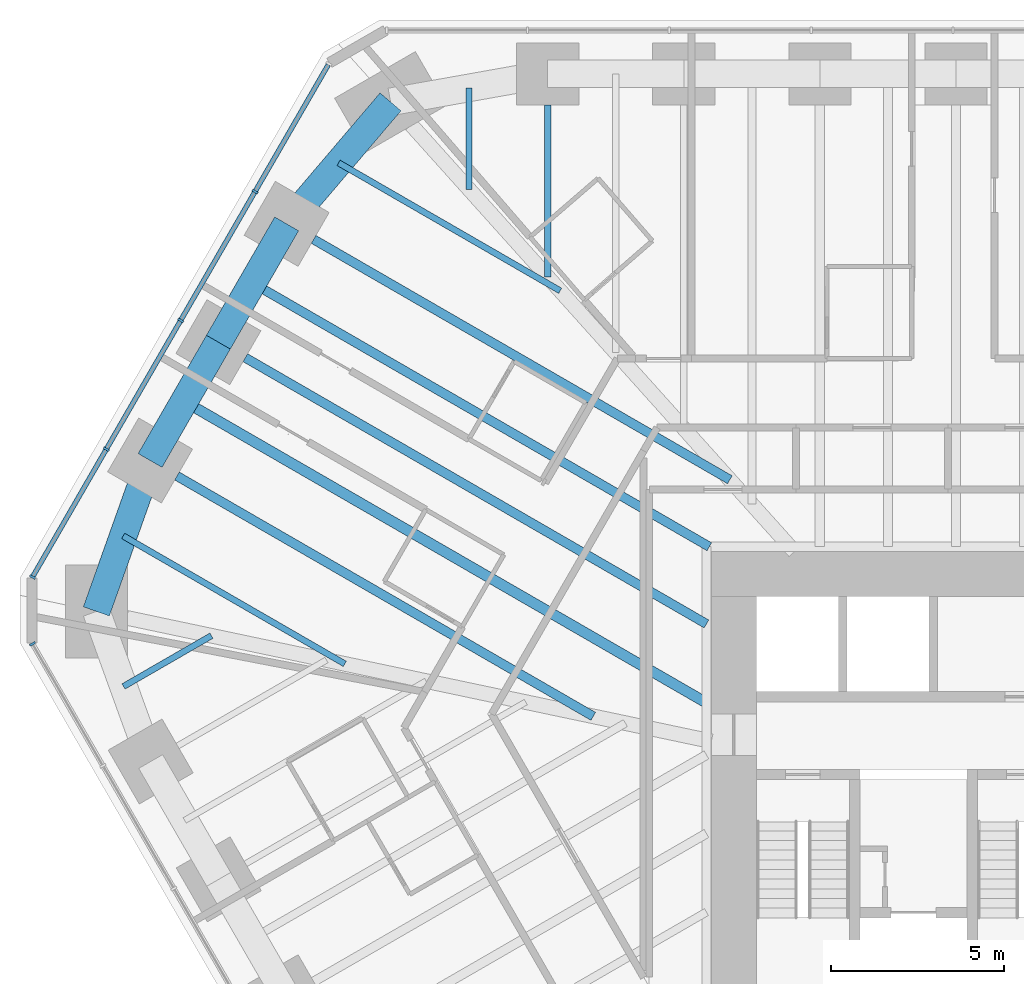
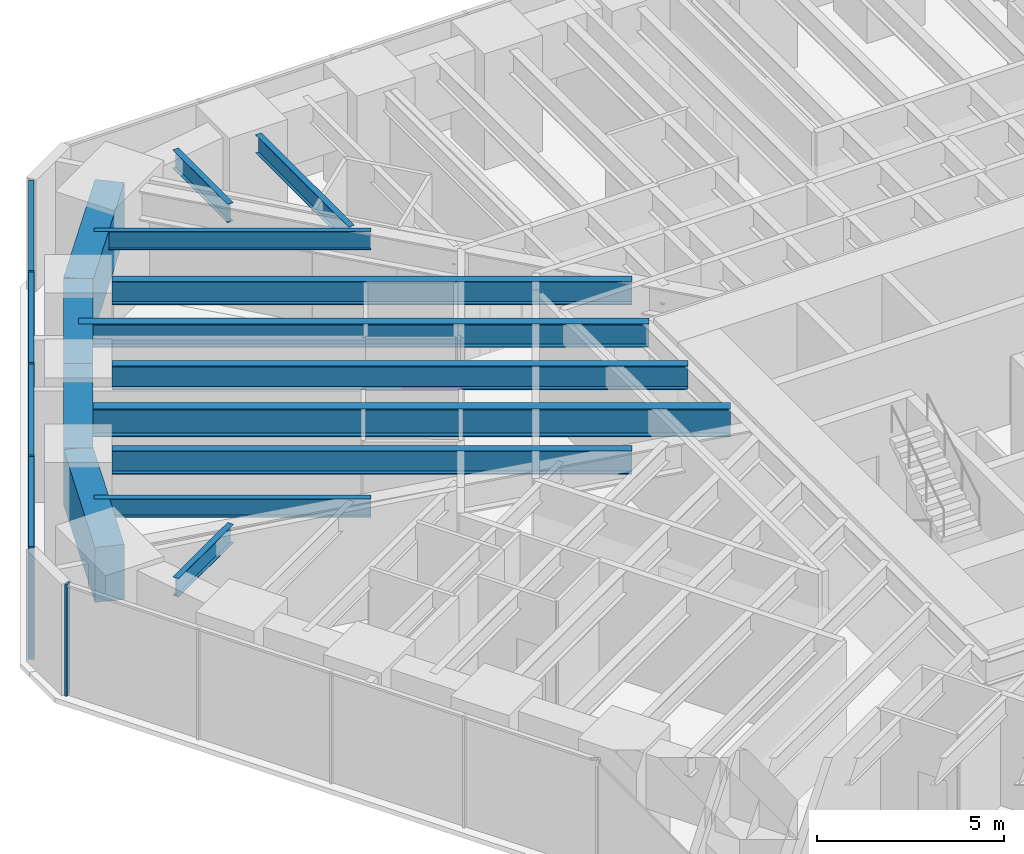
# One storey, part 7 of 17: 14 beams, 9 members, 2 elements without a shape of their own.
"""IFC4 building model written with IfcOpenShell, lengths in metres."""

import ifcopenshell
import ifcopenshell.guid

model = None  # the IFC model being written
_history = None  # IfcOwnerHistory: only IFC2X3 demands one
_inside = {}  # id of a spatial element -> (the spatial element, [elements in it])
_under = {}  # id of a project, library or spatial element -> (it, [spatial elements below it])
_declared = {}  # id of a project -> (the project, [libraries it declares])
_typed = {}  # id of a type object -> (the type object, [elements of that type])
_made_of = {}  # id of a material, layer set ... -> (it, [elements and type objects made of it])


def new_model(schema):
    """Start an empty IFC model of exactly this schema.

    Asked for "IFC4X3", IfcOpenShell would pick the latest addendum, in which some entities
    have other attributes; the version numbers below select the first issue.
    IFC2X3 requires an IfcOwnerHistory on every rooted entity: one is made here for all.
    """
    global model, _history
    if schema == "IFC4X3":
        model = ifcopenshell.file(schema_version=(4, 3, 0, 0))
    else:
        model = ifcopenshell.file(schema=schema)
    _inside.clear()
    _under.clear()
    _declared.clear()
    _typed.clear()
    _made_of.clear()
    _history = None
    if model.schema == "IFC2X3":
        org = make("IfcOrganization", Name="unknown")
        user = make(
            "IfcPersonAndOrganization",
            ThePerson=make("IfcPerson", FamilyName="unknown"),
            TheOrganization=org,
        )
        app = make(
            "IfcApplication",
            ApplicationDeveloper=org,
            Version="unknown",
            ApplicationFullName="unknown",
            ApplicationIdentifier="unknown",
        )
        _history = make(
            "IfcOwnerHistory",
            OwningUser=user,
            OwningApplication=app,
            ChangeAction="ADDED",
            CreationDate=0,
        )
    return model


def make(cls, **values):
    """One entity of the class cls with the attributes given. An attribute that is None is left unset."""
    return model.create_entity(
        cls, **{name: value for name, value in values.items() if value is not None}
    )


def rooted(cls, **values):
    """An entity with a GlobalId (a new one), such as an element, a storey or a relation."""
    return make(cls, GlobalId=ifcopenshell.guid.new(), OwnerHistory=_history, **values)


def si_unit(unit_type, name, prefix=None):
    """IfcSIUnit, for example si_unit("LENGTHUNIT", "METRE", prefix="MILLI")."""
    return make("IfcSIUnit", UnitType=unit_type, Prefix=prefix, Name=name)


def assignment(units):
    """IfcUnitAssignment: the units of a project."""
    return None if units is None else make("IfcUnitAssignment", Units=units)


def point(xyz):
    """IfcCartesianPoint."""
    return None if xyz is None else make("IfcCartesianPoint", Coordinates=xyz)


def direction(xyz):
    """IfcDirection."""
    return None if xyz is None else make("IfcDirection", DirectionRatios=xyz)


def frame(location, z_axis=None, x_axis=None):
    """IfcAxis2Placement3D, a coordinate frame: its origin and axes. An axis left out is left unset."""
    return make(
        "IfcAxis2Placement3D",
        Location=point(location),
        Axis=direction(z_axis),
        RefDirection=direction(x_axis),
    )


def frame_2d(location, x_axis=None):
    """IfcAxis2Placement2D, a coordinate frame in the plane: its origin and x axis."""
    return make(
        "IfcAxis2Placement2D", Location=point(location), RefDirection=direction(x_axis)
    )


def origin():
    """The frame at (0, 0, 0) with its axes left unset."""
    return frame((0.0, 0.0, 0.0))


def origin_2d():
    """The frame at (0, 0) in the plane with its x axis left unset."""
    return frame_2d((0.0, 0.0))


def place(relative_to, where):
    """IfcLocalPlacement: puts the frame where relative to a parent placement (None: the world)."""
    return make(
        "IfcLocalPlacement", PlacementRelTo=relative_to, RelativePlacement=where
    )


def context(
    kind, dimensions, precision=None, world=None, true_north=None, identifier=None
):
    """IfcGeometricRepresentationContext, for example the 3D "Model" context."""
    return make(
        "IfcGeometricRepresentationContext",
        ContextIdentifier=identifier,
        ContextType=kind,
        CoordinateSpaceDimension=dimensions,
        Precision=precision,
        WorldCoordinateSystem=world,
        TrueNorth=true_north,
    )


def subcontext(parent, identifier, kind, view, scale=None):
    """IfcGeometricRepresentationSubContext, for example "Body" below "Model"."""
    return make(
        "IfcGeometricRepresentationSubContext",
        ContextIdentifier=identifier,
        ContextType=kind,
        ParentContext=parent,
        TargetScale=scale,
        TargetView=view,
    )


def project(units=None, contexts=None):
    """IfcProject with its units and contexts."""
    return rooted(
        "IfcProject",
        Name="project",
        RepresentationContexts=contexts,
        UnitsInContext=assignment(units),
    )


def spatial(cls, under=None, at=None, **own):
    """A site, building, storey or space (cls), placed at a placement, below another one or the project."""
    s = rooted(cls, ObjectPlacement=at, **own)
    if under is not None:
        _under.setdefault(under.id(), (under, []))[1].append(s)
    return s


def profile(cls, at=None, kind="AREA", **sizes):
    """A parametric profile (cls). Its sizes go by their IFC names, for example OverallWidth=200.0."""
    return make(cls, ProfileType=kind, Position=at, **sizes)


def rectangle(**sizes):
    """IfcRectangleProfileDef."""
    return profile("IfcRectangleProfileDef", **sizes)


def i_section(**sizes):
    """IfcIShapeProfileDef."""
    return profile("IfcIShapeProfileDef", **sizes)


def extrude(swept, where, along, depth):
    """IfcExtrudedAreaSolid: the profile swept, set in the frame where, extruded along a direction by depth."""
    return make(
        "IfcExtrudedAreaSolid",
        SweptArea=swept,
        Position=where,
        ExtrudedDirection=direction(along),
        Depth=depth,
    )


def shape(context_of_items, identifier, shape_type, items):
    """IfcShapeRepresentation: the items that make up one representation, for example the "Body"."""
    return make(
        "IfcShapeRepresentation",
        ContextOfItems=context_of_items,
        RepresentationIdentifier=identifier,
        RepresentationType=shape_type,
        Items=items,
    )


def material(Name=None, Category=None):
    """IfcMaterial."""
    return make("IfcMaterial", Name=Name, Category=Category)


def material_profile(
    of_material, cross_section, Name=None, Category=None, Priority=None
):
    """IfcMaterialProfile: a cross section and its material."""
    return make(
        "IfcMaterialProfile",
        Name=Name,
        Material=of_material,
        Profile=cross_section,
        Priority=Priority,
        Category=Category,
    )


def profile_set(profiles, Name=None, composite=None):
    """IfcMaterialProfileSet."""
    return make(
        "IfcMaterialProfileSet",
        Name=Name,
        MaterialProfiles=profiles,
        CompositeProfile=composite,
    )


def made_of(thing, what):
    """Note that an element or type object is made of a material, layer set ...; save() writes the relation."""
    if what is not None:
        _made_of.setdefault(what.id(), (what, []))[1].append(thing)
    return thing


def type_object(cls, material=None, **own):
    """A type object (cls), such as IfcWallType, which elements share."""
    return made_of(rooted(cls, **own), material)


def element(
    cls,
    number,
    at=None,
    inside=None,
    cuts=None,
    type_object=None,
    material=None,
    context=None,
    identifier="Body",
    shape_type=None,
    held_by="IfcProductDefinitionShape",
    body=None,
    shapes=None,
    **own,
):
    """One element of the class cls, such as IfcWall. Its Tag is "e" and its number.

    at: its placement. inside: the storey or other place that contains it. cuts: it is an
    opening in that element (IfcRelVoidsElement). A single representation is given by context,
    identifier, shape_type and body (its items); several are given by shapes. held_by: the class
    of the entity that holds the representations. save() writes the other relations.
    """
    e = rooted(cls, Tag="e%d" % number, ObjectPlacement=at, **own)
    if body is not None:
        shapes = [shape(context, identifier, shape_type, body)]
    if shapes is not None:
        e.Representation = make(held_by, Representations=shapes)
    if inside is not None:
        _inside.setdefault(inside.id(), (inside, []))[1].append(e)
    if cuts is not None:
        rooted(
            "IfcRelVoidsElement", RelatingBuildingElement=cuts, RelatedOpeningElement=e
        )
    if type_object is not None:
        _typed.setdefault(type_object.id(), (type_object, []))[1].append(e)
    return made_of(e, material)


def aggregate(whole, parts):
    """IfcRelAggregates: a whole, such as a stair, and the parts it consists of."""
    return rooted("IfcRelAggregates", RelatingObject=whole, RelatedObjects=parts)


def save(model, path):
    """Write the relations noted so far, then the file.

    IfcRelAggregates (storeys below a building ...), IfcRelContainedInSpatialStructure (elements
    in a storey), IfcRelDefinesByType, IfcRelAssociatesMaterial and IfcRelDeclares: one each for
    every whole, place, type object, material and project.
    """
    for whole, parts in _under.values():
        aggregate(whole, parts)
    for where, things in _inside.values():
        rooted(
            "IfcRelContainedInSpatialStructure",
            RelatedElements=things,
            RelatingStructure=where,
        )
    for kind, things in _typed.values():
        rooted("IfcRelDefinesByType", RelatedObjects=things, RelatingType=kind)
    for what, things in _made_of.values():
        rooted("IfcRelAssociatesMaterial", RelatedObjects=things, RelatingMaterial=what)
    for by, libraries in _declared.values():
        rooted("IfcRelDeclares", RelatingContext=by, RelatedDefinitions=libraries)
    model.write(path)


model = new_model("IFC4")

# Units and contexts
model_context = context("Model", 3, precision=1e-05, world=origin(), true_north=direction((0.0, 1.0)))
body_context = subcontext(model_context, "Body", "Model", "MODEL_VIEW")
ifc_project = project(units=[si_unit("LENGTHUNIT", "METRE"), si_unit("AREAUNIT", "SQUARE_METRE"), si_unit("VOLUMEUNIT", "CUBIC_METRE"), si_unit("PLANEANGLEUNIT", "RADIAN"), si_unit("MASSUNIT", "GRAM", prefix="KILO")], contexts=[model_context])

# Site, building, storey
site_placement = place(None, origin())
site = spatial("IfcSite", under=ifc_project, at=site_placement, CompositionType="ELEMENT")
building_placement = place(site_placement, origin())
building = spatial("IfcBuilding", under=site, at=building_placement, Name="Sandreach Pilgrim Tower", CompositionType="ELEMENT")
storey_placement = place(building_placement, frame((0.0, 0.0, 104.39990234375)))
storey = spatial("IfcBuildingStorey", under=building, at=storey_placement, Name="L25", CompositionType="ELEMENT", Elevation=104.39990234375)

# Curtain wall, member
ifc_material_1 = material(Name="Aluminium framed curtain wall", Category="aluminium")
curtain_wall_type = type_object("IfcCurtainWallType", Name="Hotel tower curtain wall", PredefinedType="NOTDEFINED", material=ifc_material_1)
curtain_wall_1_placement = place(storey_placement, origin())
curtain_wall_1 = element("IfcCurtainWall", 1, at=curtain_wall_1_placement, inside=storey, type_object=curtain_wall_type, Name="CW-2 L25 SW", PredefinedType="NOTDEFINED")
ifc_material_2 = material(Name="Aluminium extrusion", Category="aluminium")
ifc_material_profile_1 = material_profile(ifc_material_2, rectangle(XDim=0.06494140625, YDim=0.179931640625, at=origin_2d()), Name="CW-2M 65X180")
ifc_profile_set_1 = profile_set([ifc_material_profile_1], Name="Aluminium extrusion")
member_type_1 = type_object("IfcMemberType", Name="CW-2 mullion", PredefinedType="MULLION", material=ifc_profile_set_1)
member_1_placement = place(storey_placement, frame((-28.70458984375, 4.730224609375, 0.0), z_axis=(0.0, 0.0, 1.0), x_axis=(-0.5, 0.866025403784, 0.0)))
member_1 = element("IfcMember", 2, at=member_1_placement, type_object=member_type_1, Name="CW-2 mullion 10", PredefinedType="MULLION", context=body_context, shape_type="SweptSolid", body=[
    extrude(rectangle(XDim=0.06494140625, YDim=0.179931640625, at=origin_2d()), origin(), (0.0, 0.0, 1.0), 3.64013671875),
])
aggregate(curtain_wall_1, [member_1])

# Curtain wall, members
curtain_wall_2_placement = place(storey_placement, origin())
curtain_wall_2 = element("IfcCurtainWall", 3, at=curtain_wall_2_placement, inside=storey, type_object=curtain_wall_type, Name="CW-2 L25 NW", PredefinedType="NOTDEFINED")
member_2_placement = place(storey_placement, frame((-28.70458984375, 6.66650390625, 0.0), z_axis=(0.0, 0.0, 1.0), x_axis=(0.5, 0.866025403784, 0.0)))
member_2 = element("IfcMember", 4, at=member_2_placement, type_object=member_type_1, Name="CW-2 mullion 1", PredefinedType="MULLION", context=body_context, shape_type="SweptSolid", body=[
    extrude(rectangle(XDim=0.06494140625, YDim=0.179931640625, at=origin_2d()), origin(), (0.0, 0.0, 1.0), 3.64013671875),
])
member_3_placement = place(storey_placement, frame((-26.568115234375, 10.3671875, 0.0), z_axis=(0.0, 0.0, 1.0), x_axis=(0.5, 0.866025403784, 0.0)))
member_3 = element("IfcMember", 5, at=member_3_placement, type_object=member_type_1, Name="CW-2 mullion 2", PredefinedType="MULLION", context=body_context, shape_type="SweptSolid", body=[
    extrude(rectangle(XDim=0.06494140625, YDim=0.179931640625, at=origin_2d()), origin(), (0.0, 0.0, 1.0), 3.64013671875),
])
member_4_placement = place(storey_placement, frame((-24.415283203125, 14.09619140625, 0.0), z_axis=(0.0, 0.0, 1.0), x_axis=(0.5, 0.866025403784, 0.0)))
member_4 = element("IfcMember", 6, at=member_4_placement, type_object=member_type_1, Name="CW-2 mullion 3", PredefinedType="MULLION", context=body_context, shape_type="SweptSolid", body=[
    extrude(rectangle(XDim=0.06494140625, YDim=0.179931640625, at=origin_2d()), origin(), (0.0, 0.0, 1.0), 3.64013671875),
])
member_5_placement = place(storey_placement, frame((-22.262451171875, 17.824951171875, 0.0), z_axis=(0.0, 0.0, 1.0), x_axis=(0.5, 0.866025403784, 0.0)))
member_5 = element("IfcMember", 7, at=member_5_placement, type_object=member_type_1, Name="CW-2 mullion 4", PredefinedType="MULLION", context=body_context, shape_type="SweptSolid", body=[
    extrude(rectangle(XDim=0.06494140625, YDim=0.179931640625, at=origin_2d()), origin(), (0.0, 0.0, 1.0), 3.64013671875),
])
ifc_material_3 = material(Name="Aluminium extrusion", Category="aluminium")
ifc_material_profile_2 = material_profile(ifc_material_3, rectangle(XDim=0.139892578125, YDim=0.070068359375, at=origin_2d()), Name="CW-2T 140X70")
ifc_profile_set_2 = profile_set([ifc_material_profile_2], Name="Aluminium extrusion")
member_type_2 = type_object("IfcMemberType", Name="CW-2 transom", PredefinedType="USERDEFINED", material=ifc_profile_set_2)
member_6_placement = place(storey_placement, frame((-28.6884765625, 6.69482421875, 3.60498046875), z_axis=(0.500038835258, 0.866002981077, 0.0), x_axis=(-0.866002981077, 0.500038835258, 0.0)))
member_6 = element("IfcMember", 8, at=member_6_placement, type_object=member_type_2, Name="CW-2 head transom 1", ObjectType="TRANSOM", PredefinedType="USERDEFINED", context=body_context, shape_type="SweptSolid", body=[
    extrude(rectangle(XDim=0.139892578125, YDim=0.070068359375, at=origin_2d()), origin(), (0.0, 0.0, 1.0), 4.208251953125),
])
member_7_placement = place(storey_placement, frame((-26.5517578125, 10.3955078125, 3.60498046875), z_axis=(0.500021471012, 0.866013007135, 0.0), x_axis=(-0.866013007135, 0.500021471012, 0.0)))
member_7 = element("IfcMember", 9, at=member_7_placement, type_object=member_type_2, Name="CW-2 head transom 2", ObjectType="TRANSOM", PredefinedType="USERDEFINED", context=body_context, shape_type="SweptSolid", body=[
    extrude(rectangle(XDim=0.139892578125, YDim=0.070068359375, at=origin_2d()), origin(), (0.0, 0.0, 1.0), 4.240478515625),
])
member_8_placement = place(storey_placement, frame((-24.39892578125, 14.124267578125, 3.60498046875), z_axis=(0.499996541496, 0.866027400544, 0.0), x_axis=(-0.866027400544, 0.499996541496, 0.0)))
member_8 = element("IfcMember", 10, at=member_8_placement, type_object=member_type_2, Name="CW-2 head transom 3", ObjectType="TRANSOM", PredefinedType="USERDEFINED", context=body_context, shape_type="SweptSolid", body=[
    extrude(rectangle(XDim=0.139892578125, YDim=0.070068359375, at=origin_2d()), origin(), (0.0, 0.0, 1.0), 4.24072265625),
])
member_9_placement = place(storey_placement, frame((-22.24609375, 17.85302734375, 3.60498046875), z_axis=(0.49997020258, 0.86604260665, 0.0), x_axis=(-0.86604260665, 0.49997020258, 0.0)))
member_9 = element("IfcMember", 11, at=member_9_placement, type_object=member_type_2, Name="CW-2 head transom 4", ObjectType="TRANSOM", PredefinedType="USERDEFINED", context=body_context, shape_type="SweptSolid", body=[
    extrude(rectangle(XDim=0.139892578125, YDim=0.070068359375, at=origin_2d()), origin(), (0.0, 0.0, 1.0), 4.208251953125),
])
aggregate(curtain_wall_2, [member_2, member_3, member_4, member_5, member_6, member_7, member_8, member_9])

# Beams
ifc_material_4 = material(Name="Steel ASTM A992 Grade 50", Category="steel")
ifc_material_profile_3 = material_profile(ifc_material_4, i_section(OverallWidth=0.1787109375, OverallDepth=0.60205078125, WebThickness=0.010986328125, FlangeThickness=0.014892578125, at=origin_2d()), Name="W24X62")
ifc_profile_set_3 = profile_set([ifc_material_profile_3], Name="Steel ASTM A992 Grade 50")
beam_type_1 = type_object("IfcBeamType", Name="Floor beam W24X62", PredefinedType="BEAM", material=ifc_profile_set_3)
beam_1_placement = place(storey_placement, frame((-13.789794921875, 20.333740234375, 3.339111328125), z_axis=(0.0, -1.0, 0.0), x_axis=(1.0, 0.0, 0.0)))
element("IfcBeam", 12, at=beam_1_placement, inside=storey, type_object=beam_type_1, Name="BM L25 F01", PredefinedType="BEAM", context=body_context, shape_type="SweptSolid", body=[
    extrude(i_section(OverallWidth=0.1787109375, OverallDepth=0.60205078125, WebThickness=0.010986328125, FlangeThickness=0.014892578125, at=origin_2d()), origin(), (0.0, 0.0, 1.0), 4.9765625),
])
beam_2_placement = place(storey_placement, frame((-26.070556640625, 3.498046875, 3.339111328125), z_axis=(0.866051374412, 0.499955014855, 0.0), x_axis=(-0.499955014855, 0.866051374412, 0.0)))
element("IfcBeam", 13, at=beam_2_placement, inside=storey, type_object=beam_type_1, Name="BM L25 FM34", PredefinedType="BEAM", context=body_context, shape_type="SweptSolid", body=[
    extrude(i_section(OverallWidth=0.1787109375, OverallDepth=0.60205078125, WebThickness=0.010986328125, FlangeThickness=0.014892578125, at=origin_2d()), origin(), (0.0, 0.0, 1.0), 2.938232421875),
])
for number, where, z_axis, x_axis, name in (
    (14, (-26.079345703125, 7.855712890625, 3.339111328125), (0.866025875064, -0.499999183719, 0.0), (0.499999183719, 0.866025875064, 0.0), "BM L25 FM35"),
    (15, (-19.8427734375, 18.65771484375, 3.339111328125), (0.866025875064, -0.499999183719, 0.0), (0.499999183719, 0.866025875064, 0.0), "BM L25 FM38"),
):
    element("IfcBeam", number, at=place(storey_placement, frame(where, z_axis=z_axis, x_axis=x_axis)), inside=storey, type_object=beam_type_1, Name=name, PredefinedType="BEAM", context=body_context, shape_type="SweptSolid", body=[
        extrude(i_section(OverallWidth=0.1787109375, OverallDepth=0.60205078125, WebThickness=0.010986328125, FlangeThickness=0.014892578125, at=origin_2d()), origin(), (0.0, 0.0, 1.0), 7.40771484375),
    ])
beam_3_placement = place(storey_placement, frame((-16.064697265625, 20.828857421875, 3.339111328125), z_axis=(0.0, -1.0, 0.0), x_axis=(1.0, 0.0, 0.0)))
element("IfcBeam", 16, at=beam_3_placement, inside=storey, type_object=beam_type_1, Name="BM L25 FM39", PredefinedType="BEAM", context=body_context, shape_type="SweptSolid", body=[
    extrude(i_section(OverallWidth=0.1787109375, OverallDepth=0.60205078125, WebThickness=0.010986328125, FlangeThickness=0.014892578125, at=origin_2d()), origin(), (0.0, 0.0, 1.0), 2.938232421875),
])
ifc_material_5 = material(Name="Steel ASTM A992 Grade 50", Category="steel")
ifc_material_profile_4 = material_profile(ifc_material_5, i_section(OverallWidth=0.2666015625, OverallDepth=0.761962890625, WebThickness=0.014404296875, FlangeThickness=0.021484375, at=origin_2d()), Name="W30X116")
ifc_profile_set_4 = profile_set([ifc_material_profile_4], Name="Steel ASTM A992 Grade 50")
beam_type_2 = type_object("IfcBeamType", Name="Floor beam W30X116", PredefinedType="BEAM", material=ifc_profile_set_4)
beam_4_placement = place(storey_placement, frame((-24.522216796875, 9.5908203125, 3.259033203125), z_axis=(0.866026649588, -0.499997842199, 0.0), x_axis=(0.499997842199, 0.866026649588, 0.0)))
element("IfcBeam", 17, at=beam_4_placement, inside=storey, type_object=beam_type_2, Name="BM L25 F36", PredefinedType="BEAM", context=body_context, shape_type="SweptSolid", body=[
    extrude(i_section(OverallWidth=0.2666015625, OverallDepth=0.761962890625, WebThickness=0.014404296875, FlangeThickness=0.021484375, at=origin_2d()), origin(), (0.0, 0.0, 1.0), 13.91552734375),
])
beam_5_placement = place(storey_placement, frame((-20.56689453125, 16.44140625, 3.259033203125), z_axis=(0.866022263426, -0.500005439221, 0.0), x_axis=(0.500005439221, 0.866022263426, 0.0)))
element("IfcBeam", 18, at=beam_5_placement, inside=storey, type_object=beam_type_2, Name="BM L25 F38", PredefinedType="BEAM", context=body_context, shape_type="SweptSolid", body=[
    extrude(i_section(OverallWidth=0.2666015625, OverallDepth=0.761962890625, WebThickness=0.014404296875, FlangeThickness=0.021484375, at=origin_2d()), origin(), (0.0, 0.0, 1.0), 13.915283203125),
])
ifc_material_6 = material(Name="Steel ASTM A992 Grade 50", Category="steel")
ifc_material_profile_5 = material_profile(ifc_material_6, i_section(OverallWidth=0.2666015625, OverallDepth=0.77978515625, WebThickness=0.0166015625, FlangeThickness=0.030029296875, at=origin_2d()), Name="W30X148")
ifc_profile_set_5 = profile_set([ifc_material_profile_5], Name="Steel ASTM A992 Grade 50")
beam_type_3 = type_object("IfcBeamType", Name="Floor beam W30X148", PredefinedType="BEAM", material=ifc_profile_set_5)
beam_6_placement = place(storey_placement, frame((-22.544677734375, 13.01611328125, 3.250244140625), z_axis=(0.866029203842, -0.49999341805, 0.0), x_axis=(0.49999341805, 0.866029203842, 0.0)))
element("IfcBeam", 19, at=beam_6_placement, inside=storey, type_object=beam_type_3, Name="BM L25 F37", PredefinedType="BEAM", context=body_context, shape_type="SweptSolid", body=[
    extrude(i_section(OverallWidth=0.2666015625, OverallDepth=0.77978515625, WebThickness=0.0166015625, FlangeThickness=0.030029296875, at=origin_2d()), origin(), (0.0, 0.0, 1.0), 15.416748046875),
])
beam_7_placement = place(storey_placement, frame((-22.335205078125, 15.1787109375, 3.250244140625), z_axis=(0.866028773314, -0.499994163758, 0.0), x_axis=(0.499994163758, 0.866028773314, 0.0)))
element("IfcBeam", 20, at=beam_7_placement, inside=storey, type_object=beam_type_3, Name="BM L25 FM37", PredefinedType="BEAM", context=body_context, shape_type="SweptSolid", body=[
    extrude(i_section(OverallWidth=0.2666015625, OverallDepth=0.77978515625, WebThickness=0.0166015625, FlangeThickness=0.030029296875, at=origin_2d()), origin(), (0.0, 0.0, 1.0), 15.270751953125),
])
ifc_material_7 = material(Name="Steel ASTM A992 Grade 50", Category="steel")
ifc_material_profile_6 = material_profile(ifc_material_7, i_section(OverallWidth=0.3046875, OverallDepth=0.914306640625, WebThickness=0.0166015625, FlangeThickness=0.02587890625, at=origin_2d()), Name="W36X160")
ifc_profile_set_6 = profile_set([ifc_material_profile_6], Name="Steel ASTM A992 Grade 50")
beam_type_4 = type_object("IfcBeamType", Name="Floor beam W36X160", PredefinedType="BEAM", material=ifc_profile_set_6)
beam_8_placement = place(storey_placement, frame((-24.312744140625, 11.75341796875, 3.182861328125), z_axis=(0.866023737483, -0.500002886107, 0.0), x_axis=(0.500002886107, 0.866023737483, 0.0)))
element("IfcBeam", 21, at=beam_8_placement, inside=storey, type_object=beam_type_4, Name="BM L25 FM36", PredefinedType="BEAM", context=body_context, shape_type="SweptSolid", body=[
    extrude(i_section(OverallWidth=0.3046875, OverallDepth=0.914306640625, WebThickness=0.0166015625, FlangeThickness=0.02587890625, at=origin_2d()), origin(), (0.0, 0.0, 1.0), 17.45849609375),
])
ifc_material_8 = material(Name="Concrete 10000 psi", Category="concrete")
ifc_material_profile_7 = material_profile(ifc_material_8, rectangle(XDim=0.800048828125, YDim=1.800048828125, at=origin_2d()), Name="RC800X1800")
ifc_profile_set_7 = profile_set([ifc_material_profile_7], Name="Concrete 10000 psi")
beam_type_5 = type_object("IfcBeamType", Name="Spandrel beam RC800X1800", PredefinedType="SPANDREL", material=ifc_profile_set_7)
beam_9_placement = place(storey_placement, frame((-26.857177734375, 5.67041015625, 2.739990234375), z_axis=(0.335346041399, 0.942095023083, 0.0), x_axis=(-0.942095023083, 0.335346041399, 0.0)))
element("IfcBeam", 22, at=beam_9_placement, inside=storey, type_object=beam_type_5, Name="BM L25 SP35", PredefinedType="SPANDREL", context=body_context, shape_type="SweptSolid", body=[
    extrude(rectangle(XDim=0.800048828125, YDim=1.800048828125, at=origin_2d()), origin(), (0.0, 0.0, 1.0), 4.638916015625),
])
for number, where, z_axis, x_axis, name in (
    (23, (-25.301513671875, 10.040771484375, 2.739990234375), (0.499989616998, 0.866031398331, 0.0), (-0.866031398331, 0.499989616998, 0.0), "BM L25 SP36"),
    (24, (-23.323974609375, 13.466064453125, 2.739990234375), (0.499989616998, 0.866031398331, 0.0), (-0.866031398331, 0.499989616998, 0.0), "BM L25 SP37"),
):
    element("IfcBeam", number, at=place(storey_placement, frame(where, z_axis=z_axis, x_axis=x_axis)), inside=storey, type_object=beam_type_5, Name=name, PredefinedType="SPANDREL", context=body_context, shape_type="SweptSolid", body=[
        extrude(rectangle(XDim=0.800048828125, YDim=1.800048828125, at=origin_2d()), origin(), (0.0, 0.0, 1.0), 3.955078125),
    ])
beam_10_placement = place(storey_placement, frame((-21.346435546875, 16.891357421875, 2.739990234375), z_axis=(0.648208888384, 0.761462564425, 0.0), x_axis=(-0.761462564425, 0.648208888384, 0.0)))
element("IfcBeam", 25, at=beam_10_placement, inside=storey, type_object=beam_type_5, Name="BM L25 SP38", PredefinedType="SPANDREL", context=body_context, shape_type="SweptSolid", body=[
    extrude(rectangle(XDim=0.800048828125, YDim=1.800048828125, at=origin_2d()), origin(), (0.0, 0.0, 1.0), 4.63916015625),
])

save(model, "model.ifc")
